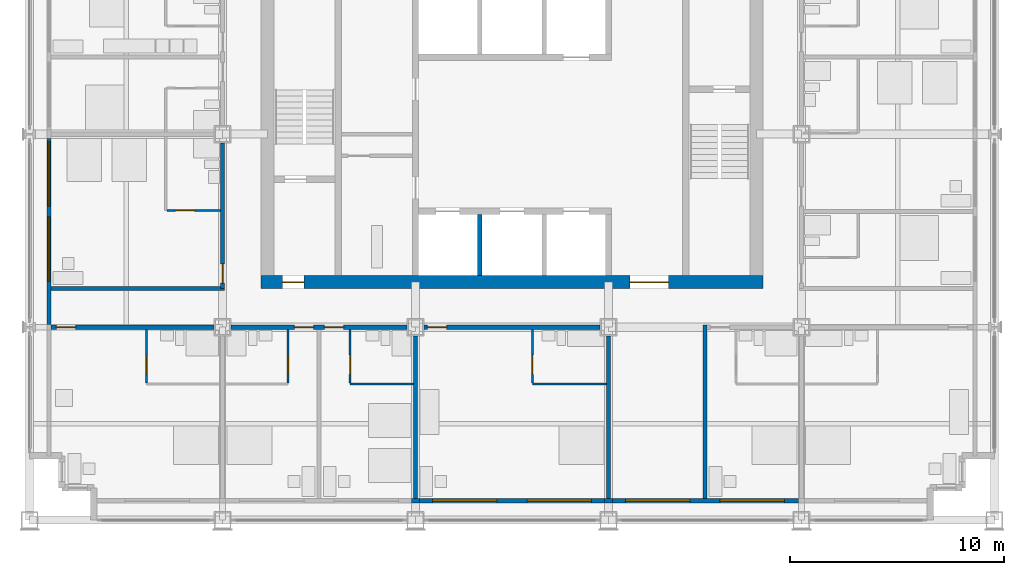
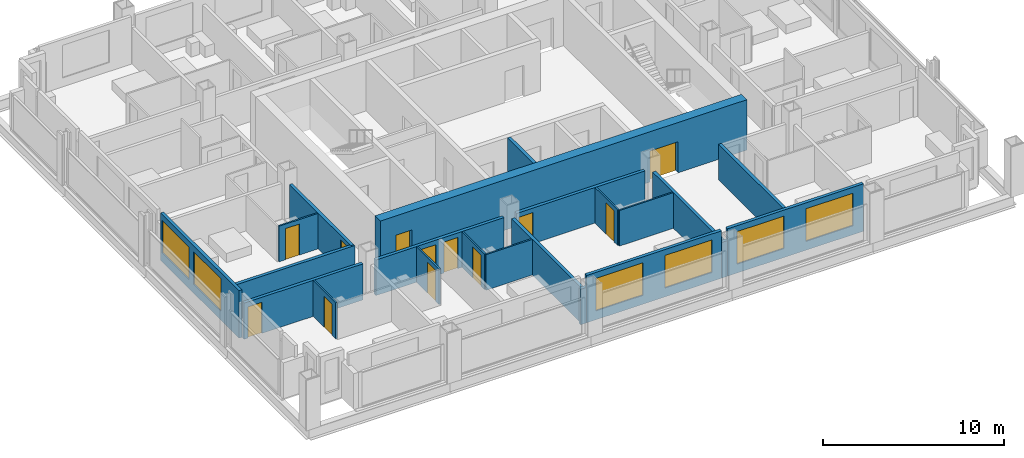
# One storey, part 9 of 17: 22 walls, 12 doors, 6 windows, 18 openings.
"""IFC4 building model written with IfcOpenShell, lengths in metres."""

from ifc_helpers import new_model, si_unit, direction, frame, frame_2d, origin, place, context, subcontext, project, spatial, rectangle, extrude, material, layer, layer_set, type_object, element, fill, save


model = new_model("IFC4")

# Units and contexts
model_context = context("Model", 3, precision=1e-05, world=origin(), true_north=direction((0.0, 1.0)))
body_context = subcontext(model_context, "Body", "Model", "MODEL_VIEW")
ifc_project = project(units=[si_unit("LENGTHUNIT", "METRE"), si_unit("AREAUNIT", "SQUARE_METRE"), si_unit("VOLUMEUNIT", "CUBIC_METRE"), si_unit("PLANEANGLEUNIT", "RADIAN"), si_unit("MASSUNIT", "GRAM", prefix="KILO")], contexts=[model_context])

# Site, building, storey
site_placement = place(None, origin())
site = spatial("IfcSite", under=ifc_project, at=site_placement, CompositionType="ELEMENT")
building_placement = place(site_placement, origin())
building = spatial("IfcBuilding", under=site, at=building_placement, Name="Loomwork Tower", CompositionType="ELEMENT")
storey_placement = place(building_placement, frame((0.0, 0.0, 141.800048828125)))
storey = spatial("IfcBuildingStorey", under=building, at=storey_placement, Name="L38", CompositionType="ELEMENT", Elevation=141.800048828125)

# Wall, openings, doors
ifc_material_1 = material(Name="Concrete 14000 psi (97 MPa)", Category="concrete")
ifc_layer_1 = layer(ifc_material_1, 0.60009765625)
ifc_layer_set_1 = layer_set([ifc_layer_1], Name="Core shear wall 600")
wall_type_1 = type_object("IfcWallType", Name="Core shear wall 600", PredefinedType="SHEAR", material=ifc_layer_set_1)
wall_1_placement = place(storey_placement, frame((10.800048828125, 11.10009765625, 0.0), z_axis=(0.0, 0.0, 1.0), x_axis=(1.0, 0.0, 0.0)))
wall_1 = element("IfcWall", 1, at=wall_1_placement, inside=storey, type_object=wall_type_1, Name="Core wall south L38", PredefinedType="SHEAR", context=body_context, shape_type="SweptSolid", body=[
    extrude(rectangle(XDim=23.39990234375, YDim=0.60009765625, at=frame_2d((11.699951171875, 0.0))), origin(), (0.0, 0.0, 1.0), 3.39990234375),
])
opening_1_placement = place(wall_1_placement, frame((1.0, 0.0, 0.0)))
opening_1 = element("IfcOpeningElement", 2, at=opening_1_placement, cuts=wall_1, Name="Opening D4", PredefinedType="OPENING", context=body_context, shape_type="SweptSolid", body=[
    extrude(rectangle(XDim=1.0, YDim=2.10009765625, at=frame_2d((0.5, 1.050048828125))), frame((0.0, 0.31005859375, 0.0), z_axis=(0.0, -1.0, 0.0), x_axis=(1.0, 0.0, 0.0)), (0.0, 0.0, 1.0), 0.6201171875),
])
opening_2_placement = place(wall_1_placement, frame((17.199951171875, 0.0, 0.0)))
opening_2 = element("IfcOpeningElement", 3, at=opening_2_placement, cuts=wall_1, Name="Opening D6", PredefinedType="OPENING", context=body_context, shape_type="SweptSolid", body=[
    extrude(rectangle(XDim=1.800048828125, YDim=2.10009765625, at=frame_2d((0.89990234375, 1.050048828125))), frame((0.0, 0.31005859375, 0.0), z_axis=(0.0, -1.0, 0.0), x_axis=(1.0, 0.0, 0.0)), (0.0, 0.0, 1.0), 0.6201171875),
])
ifc_material_2 = material(Name="Hollow metal door and frame")
door_type_1 = type_object("IfcDoorType", Name="Lobby passage double door 1800", OperationType="DOUBLE_DOOR_SINGLE_SWING", PredefinedType="DOOR", material=ifc_material_2)
door_1_placement = place(opening_2_placement, origin())
door_1 = element("IfcDoor", 4, at=door_1_placement, inside=storey, type_object=door_type_1, Name="Lobby passage door south", OperationType="DOUBLE_DOOR_SINGLE_SWING", OverallHeight=2.10009765625, OverallWidth=1.800048828125, PredefinedType="DOOR", context=body_context, shape_type="SweptSolid", body=[
    extrude(rectangle(XDim=1.800048828125, YDim=2.10009765625, at=frame_2d((0.89990234375, 1.050048828125))), frame((0.0, 0.02490234375, 0.0), z_axis=(0.0, -1.0, 0.0), x_axis=(1.0, 0.0, 0.0)), (0.0, 0.0, 1.0), 0.050048828125),
])
fill(opening_2, door_1)
ifc_material_3 = material(Name="Hollow metal door and frame")
door_type_2 = type_object("IfcDoorType", Name="Stair door 1000", OperationType="SINGLE_SWING_RIGHT", PredefinedType="DOOR", material=ifc_material_3)
door_2_placement = place(opening_1_placement, origin())
door_2 = element("IfcDoor", 5, at=door_2_placement, inside=storey, type_object=door_type_2, Name="Stair A vestibule door", OperationType="SINGLE_SWING_LEFT", OverallHeight=2.10009765625, OverallWidth=1.0, PredefinedType="DOOR", context=body_context, shape_type="SweptSolid", body=[
    extrude(rectangle(XDim=1.0, YDim=2.10009765625, at=frame_2d((0.5, 1.050048828125))), frame((0.0, 0.02490234375, 0.0), z_axis=(0.0, -1.0, 0.0), x_axis=(1.0, 0.0, 0.0)), (0.0, 0.0, 1.0), 0.050048828125),
])
fill(opening_1, door_2)

# Wall, opening, door
ifc_material_4 = material(Name="Gypsum board on steel studs, one-hour", Category="steel")
ifc_layer_2 = layer(ifc_material_4, 0.199951171875)
ifc_layer_set_2 = layer_set([ifc_layer_2], Name="Corridor wall 200")
wall_type_2 = type_object("IfcWallType", Name="Corridor wall 200", PredefinedType="PARTITIONING", material=ifc_layer_set_2)
wall_2_placement = place(storey_placement, frame((1.0, 9.0, 0.0), z_axis=(0.0, 0.0, 1.0), x_axis=(1.0, 0.0, 0.0)))
wall_2 = element("IfcWall", 6, at=wall_2_placement, inside=storey, type_object=wall_type_2, Name="South corridor wall 1", PredefinedType="PARTITIONING", context=body_context, shape_type="SweptSolid", body=[
    extrude(rectangle(XDim=7.60009765625, YDim=0.199951171875, at=frame_2d((3.800048828125, 0.0))), origin(), (0.0, 0.0, 1.0), 2.43798828125),
])
opening_3_placement = place(wall_2_placement, frame((0.25, 0.0, 0.0)))
opening_3 = element("IfcOpeningElement", 7, at=opening_3_placement, cuts=wall_2, Name="Opening D1", PredefinedType="OPENING", context=body_context, shape_type="SweptSolid", body=[
    extrude(rectangle(XDim=0.89990234375, YDim=2.10009765625, at=frame_2d((0.449951171875, 1.050048828125))), frame((0.0, 0.10986328125, 0.0), z_axis=(0.0, -1.0, 0.0), x_axis=(1.0, 0.0, 0.0)), (0.0, 0.0, 1.0), 0.219970703125),
])
ifc_material_5 = material(Name="Hollow metal door and frame")
door_type_3 = type_object("IfcDoorType", Name="Guest room entry door 900", OperationType="SINGLE_SWING_LEFT", PredefinedType="DOOR", material=ifc_material_5)
door_3_placement = place(opening_3_placement, frame((0.89990234375, 0.0, 0.0), z_axis=(0.0, 0.0, 1.0), x_axis=(-1.0, 0.0, 0.0)))
door_3 = element("IfcDoor", 8, at=door_3_placement, inside=storey, type_object=door_type_3, Name="Guest room entry door L38 1", OperationType="SINGLE_SWING_RIGHT", OverallHeight=2.10009765625, OverallWidth=0.89990234375, PredefinedType="DOOR", context=body_context, shape_type="SweptSolid", body=[
    extrude(rectangle(XDim=0.89990234375, YDim=2.10009765625, at=frame_2d((0.449951171875, 1.050048828125))), frame((0.0, 0.02490234375, 0.0), z_axis=(0.0, -1.0, 0.0), x_axis=(1.0, 0.0, 0.0)), (0.0, 0.0, 1.0), 0.050048828125),
])
fill(opening_3, door_3)

# Wall, openings, doors
wall_3_placement = place(storey_placement, frame((9.39990234375, 9.0, 0.0), z_axis=(0.0, 0.0, 1.0), x_axis=(1.0, 0.0, 0.0)))
wall_3 = element("IfcWall", 9, at=wall_3_placement, inside=storey, type_object=wall_type_2, Name="South corridor wall 2", PredefinedType="PARTITIONING", context=body_context, shape_type="SweptSolid", body=[
    extrude(rectangle(XDim=8.2001953125, YDim=0.199951171875, at=frame_2d((4.10009765625, 0.0))), origin(), (0.0, 0.0, 1.0), 2.405029296875),
])
opening_4_placement = place(wall_3_placement, frame((2.949951171875, 0.0, 0.0)))
opening_4 = element("IfcOpeningElement", 10, at=opening_4_placement, cuts=wall_3, Name="Opening D1", PredefinedType="OPENING", context=body_context, shape_type="SweptSolid", body=[
    extrude(rectangle(XDim=0.89990234375, YDim=2.10009765625, at=frame_2d((0.449951171875, 1.050048828125))), frame((0.0, 0.10986328125, 0.0), z_axis=(0.0, -1.0, 0.0), x_axis=(1.0, 0.0, 0.0)), (0.0, 0.0, 1.0), 0.219970703125),
])
opening_5_placement = place(wall_3_placement, frame((4.35009765625, 0.0, 0.0)))
opening_5 = element("IfcOpeningElement", 11, at=opening_5_placement, cuts=wall_3, Name="Opening D1", PredefinedType="OPENING", context=body_context, shape_type="SweptSolid", body=[
    extrude(rectangle(XDim=0.89990234375, YDim=2.10009765625, at=frame_2d((0.449951171875, 1.050048828125))), frame((0.0, 0.10986328125, 0.0), z_axis=(0.0, -1.0, 0.0), x_axis=(1.0, 0.0, 0.0)), (0.0, 0.0, 1.0), 0.219970703125),
])
door_4_placement = place(opening_4_placement, frame((0.89990234375, 0.0, 0.0), z_axis=(0.0, 0.0, 1.0), x_axis=(-1.0, 0.0, 0.0)))
door_4 = element("IfcDoor", 12, at=door_4_placement, inside=storey, type_object=door_type_3, Name="Guest room entry door L38 2", OperationType="SINGLE_SWING_LEFT", OverallHeight=2.10009765625, OverallWidth=0.89990234375, PredefinedType="DOOR", context=body_context, shape_type="SweptSolid", body=[
    extrude(rectangle(XDim=0.89990234375, YDim=2.10009765625, at=frame_2d((0.449951171875, 1.050048828125))), frame((0.0, 0.02490234375, 0.0), z_axis=(0.0, -1.0, 0.0), x_axis=(1.0, 0.0, 0.0)), (0.0, 0.0, 1.0), 0.050048828125),
])
fill(opening_4, door_4)
door_5_placement = place(opening_5_placement, frame((0.89990234375, 0.0, 0.0), z_axis=(0.0, 0.0, 1.0), x_axis=(-1.0, 0.0, 0.0)))
door_5 = element("IfcDoor", 13, at=door_5_placement, inside=storey, type_object=door_type_3, Name="Guest room entry door L38 3", OperationType="SINGLE_SWING_RIGHT", OverallHeight=2.10009765625, OverallWidth=0.89990234375, PredefinedType="DOOR", context=body_context, shape_type="SweptSolid", body=[
    extrude(rectangle(XDim=0.89990234375, YDim=2.10009765625, at=frame_2d((0.449951171875, 1.050048828125))), frame((0.0, 0.02490234375, 0.0), z_axis=(0.0, -1.0, 0.0), x_axis=(1.0, 0.0, 0.0)), (0.0, 0.0, 1.0), 0.050048828125),
])
fill(opening_5, door_5)

# Wall, opening, door
wall_4_placement = place(storey_placement, frame((18.39990234375, 9.0, 0.0), z_axis=(0.0, 0.0, 1.0), x_axis=(1.0, 0.0, 0.0)))
wall_4 = element("IfcWall", 14, at=wall_4_placement, inside=storey, type_object=wall_type_2, Name="South corridor wall 3", PredefinedType="PARTITIONING", context=body_context, shape_type="SweptSolid", body=[
    extrude(rectangle(XDim=8.2001953125, YDim=0.199951171875, at=frame_2d((4.10009765625, 0.0))), origin(), (0.0, 0.0, 1.0), 2.405029296875),
])
opening_6_placement = place(wall_4_placement, frame((0.14990234375, 0.0, 0.0)))
opening_6 = element("IfcOpeningElement", 15, at=opening_6_placement, cuts=wall_4, Name="Opening D1", PredefinedType="OPENING", context=body_context, shape_type="SweptSolid", body=[
    extrude(rectangle(XDim=0.89990234375, YDim=2.10009765625, at=frame_2d((0.449951171875, 1.050048828125))), frame((0.0, 0.10986328125, 0.0), z_axis=(0.0, -1.0, 0.0), x_axis=(1.0, 0.0, 0.0)), (0.0, 0.0, 1.0), 0.219970703125),
])
door_6_placement = place(opening_6_placement, frame((0.89990234375, 0.0, 0.0), z_axis=(0.0, 0.0, 1.0), x_axis=(-1.0, 0.0, 0.0)))
door_6 = element("IfcDoor", 16, at=door_6_placement, inside=storey, type_object=door_type_3, Name="Guest room entry door L38 4", OperationType="SINGLE_SWING_RIGHT", OverallHeight=2.10009765625, OverallWidth=0.89990234375, PredefinedType="DOOR", context=body_context, shape_type="SweptSolid", body=[
    extrude(rectangle(XDim=0.89990234375, YDim=2.10009765625, at=frame_2d((0.449951171875, 1.050048828125))), frame((0.0, 0.02490234375, 0.0), z_axis=(0.0, -1.0, 0.0), x_axis=(1.0, 0.0, 0.0)), (0.0, 0.0, 1.0), 0.050048828125),
])
fill(opening_6, door_6)

wall_5_placement = place(storey_placement, frame((9.0, 10.800048828125, 0.0), z_axis=(0.0, 0.0, 1.0), x_axis=(0.0, 1.0, 0.0)))
wall_5 = element("IfcWall", 17, at=wall_5_placement, inside=storey, type_object=wall_type_2, Name="West corridor wall 1", PredefinedType="PARTITIONING", context=body_context, shape_type="SweptSolid", body=[
    extrude(rectangle(XDim=6.800048828125, YDim=0.199951171875, at=frame_2d((3.39990234375, 0.0))), origin(), (0.0, 0.0, 1.0), 2.405029296875),
])
opening_7_placement = place(wall_5_placement, frame((0.25, 0.0, 0.0)))
opening_7 = element("IfcOpeningElement", 18, at=opening_7_placement, cuts=wall_5, Name="Opening D1", PredefinedType="OPENING", context=body_context, shape_type="SweptSolid", body=[
    extrude(rectangle(XDim=0.89990234375, YDim=2.10009765625, at=frame_2d((0.449951171875, 1.050048828125))), frame((0.0, 0.10986328125, 0.0), z_axis=(0.0, -1.0, 0.0), x_axis=(1.0, 0.0, 0.0)), (0.0, 0.0, 1.0), 0.219970703125),
])
door_7_placement = place(opening_7_placement, origin())
door_7 = element("IfcDoor", 19, at=door_7_placement, inside=storey, type_object=door_type_3, Name="Guest room entry door L38 14", OperationType="SINGLE_SWING_LEFT", OverallHeight=2.10009765625, OverallWidth=0.89990234375, PredefinedType="DOOR", context=body_context, shape_type="SweptSolid", body=[
    extrude(rectangle(XDim=0.89990234375, YDim=2.10009765625, at=frame_2d((0.449951171875, 1.050048828125))), frame((0.0, 0.02490234375, 0.0), z_axis=(0.0, -1.0, 0.0), x_axis=(1.0, 0.0, 0.0)), (0.0, 0.0, 1.0), 0.050048828125),
])
fill(opening_7, door_7)

# Wall
wall_6_placement = place(storey_placement, frame((1.0, 10.800048828125, 0.0), z_axis=(0.0, 0.0, 1.0), x_axis=(1.0, 0.0, 0.0)))
element("IfcWall", 20, at=wall_6_placement, inside=storey, type_object=wall_type_2, Name="West band end wall S", PredefinedType="PARTITIONING", context=body_context, shape_type="SweptSolid", body=[
    extrude(rectangle(XDim=8.10009765625, YDim=0.199951171875, at=frame_2d((4.050048828125, 0.0))), origin(), (0.0, 0.0, 1.0), 2.404052734375),
])

# Wall, opening, door
ifc_material_6 = material(Name="Cement board on steel studs", Category="steel")
ifc_layer_3 = layer(ifc_material_6, 0.10009765625)
ifc_layer_set_3 = layer_set([ifc_layer_3], Name="En-suite partition 100")
wall_type_3 = type_object("IfcWallType", Name="En-suite partition 100", PredefinedType="PARTITIONING", material=ifc_layer_set_3)
wall_7_placement = place(storey_placement, frame((5.449951171875, 8.89990234375, 0.0), z_axis=(0.0, 0.0, 1.0), x_axis=(0.0, -1.0, 0.0)))
wall_7 = element("IfcWall", 21, at=wall_7_placement, inside=storey, type_object=wall_type_3, Name="En-suite side wall L38 room 1", PredefinedType="PARTITIONING", context=body_context, shape_type="SweptSolid", body=[
    extrude(rectangle(XDim=2.5, YDim=0.10009765625, at=frame_2d((1.25, 0.0))), origin(), (0.0, 0.0, 1.0), 2.43798828125),
])
opening_8_placement = place(wall_7_placement, frame((1.199951171875, 0.0, 0.0)))
opening_8 = element("IfcOpeningElement", 22, at=opening_8_placement, cuts=wall_7, Name="Opening D3", PredefinedType="OPENING", context=body_context, shape_type="SweptSolid", body=[
    extrude(rectangle(XDim=0.89990234375, YDim=2.10009765625, at=frame_2d((0.449951171875, 1.050048828125))), frame((0.0, 0.06005859375, 0.0), z_axis=(0.0, -1.0, 0.0), x_axis=(1.0, 0.0, 0.0)), (0.0, 0.0, 1.0), 0.1201171875),
])
ifc_material_7 = material(Name="Hollow metal door and frame")
door_type_4 = type_object("IfcDoorType", Name="Accessible en-suite door 900", OperationType="SLIDING_TO_LEFT", PredefinedType="DOOR", material=ifc_material_7)
door_8_placement = place(opening_8_placement, origin())
door_8 = element("IfcDoor", 23, at=door_8_placement, inside=storey, type_object=door_type_4, Name="Accessible en-suite door room 1", OperationType="SLIDING_TO_LEFT", OverallHeight=2.10009765625, OverallWidth=0.89990234375, PredefinedType="DOOR", context=body_context, shape_type="SweptSolid", body=[
    extrude(rectangle(XDim=0.89990234375, YDim=2.10009765625, at=frame_2d((0.449951171875, 1.050048828125))), frame((0.0, 0.02490234375, 0.0), z_axis=(0.0, -1.0, 0.0), x_axis=(1.0, 0.0, 0.0)), (0.0, 0.0, 1.0), 0.050048828125),
])
fill(opening_8, door_8)

wall_8_placement = place(storey_placement, frame((12.050048828125, 8.89990234375, 0.0), z_axis=(0.0, 0.0, 1.0), x_axis=(0.0, -1.0, 0.0)))
wall_8 = element("IfcWall", 24, at=wall_8_placement, inside=storey, type_object=wall_type_3, Name="En-suite side wall L38 room 2", PredefinedType="PARTITIONING", context=body_context, shape_type="SweptSolid", body=[
    extrude(rectangle(XDim=2.5, YDim=0.10009765625, at=frame_2d((1.25, 0.0))), origin(), (0.0, 0.0, 1.0), 2.404052734375),
])
opening_9_placement = place(wall_8_placement, frame((1.199951171875, 0.0, 0.0)))
opening_9 = element("IfcOpeningElement", 25, at=opening_9_placement, cuts=wall_8, Name="Opening D2", PredefinedType="OPENING", context=body_context, shape_type="SweptSolid", body=[
    extrude(rectangle(XDim=0.89990234375, YDim=2.10009765625, at=frame_2d((0.449951171875, 1.050048828125))), frame((0.0, 0.06005859375, 0.0), z_axis=(0.0, -1.0, 0.0), x_axis=(1.0, 0.0, 0.0)), (0.0, 0.0, 1.0), 0.1201171875),
])
ifc_material_8 = material(Name="Hollow metal door and frame")
door_type_5 = type_object("IfcDoorType", Name="En-suite door 900", OperationType="SINGLE_SWING_LEFT", PredefinedType="DOOR", material=ifc_material_8)
door_9_placement = place(opening_9_placement, frame((0.89990234375, 0.0, 0.0), z_axis=(0.0, 0.0, 1.0), x_axis=(-1.0, 0.0, 0.0)))
door_9 = element("IfcDoor", 26, at=door_9_placement, inside=storey, type_object=door_type_5, Name="En-suite door room 2", OperationType="SINGLE_SWING_LEFT", OverallHeight=2.10009765625, OverallWidth=0.89990234375, PredefinedType="DOOR", context=body_context, shape_type="SweptSolid", body=[
    extrude(rectangle(XDim=0.89990234375, YDim=2.10009765625, at=frame_2d((0.449951171875, 1.050048828125))), frame((0.0, 0.02490234375, 0.0), z_axis=(0.0, -1.0, 0.0), x_axis=(1.0, 0.0, 0.0)), (0.0, 0.0, 1.0), 0.050048828125),
])
fill(opening_9, door_9)

# Wall
wall_9_placement = place(storey_placement, frame((14.949951171875, 6.35009765625, 0.0), z_axis=(0.0, 0.0, 1.0), x_axis=(1.0, 0.0, 0.0)))
element("IfcWall", 27, at=wall_9_placement, inside=storey, type_object=wall_type_3, Name="En-suite wall L38 room 3", PredefinedType="PARTITIONING", context=body_context, shape_type="SweptSolid", body=[
    extrude(rectangle(XDim=2.949951171875, YDim=0.10009765625, at=frame_2d((1.47509765625, 0.0))), origin(), (0.0, 0.0, 1.0), 2.404052734375),
])

# Wall, opening, door
wall_10_placement = place(storey_placement, frame((14.949951171875, 8.89990234375, 0.0), z_axis=(0.0, 0.0, 1.0), x_axis=(0.0, -1.0, 0.0)))
wall_10 = element("IfcWall", 28, at=wall_10_placement, inside=storey, type_object=wall_type_3, Name="En-suite side wall L38 room 3", PredefinedType="PARTITIONING", context=body_context, shape_type="SweptSolid", body=[
    extrude(rectangle(XDim=2.5, YDim=0.10009765625, at=frame_2d((1.25, 0.0))), origin(), (0.0, 0.0, 1.0), 2.404052734375),
])
opening_10_placement = place(wall_10_placement, frame((1.199951171875, 0.0, 0.0)))
opening_10 = element("IfcOpeningElement", 29, at=opening_10_placement, cuts=wall_10, Name="Opening D2", PredefinedType="OPENING", context=body_context, shape_type="SweptSolid", body=[
    extrude(rectangle(XDim=0.89990234375, YDim=2.10009765625, at=frame_2d((0.449951171875, 1.050048828125))), frame((0.0, 0.06005859375, 0.0), z_axis=(0.0, -1.0, 0.0), x_axis=(1.0, 0.0, 0.0)), (0.0, 0.0, 1.0), 0.1201171875),
])
door_10_placement = place(opening_10_placement, origin())
door_10 = element("IfcDoor", 30, at=door_10_placement, inside=storey, type_object=door_type_5, Name="En-suite door room 3", OperationType="SINGLE_SWING_RIGHT", OverallHeight=2.10009765625, OverallWidth=0.89990234375, PredefinedType="DOOR", context=body_context, shape_type="SweptSolid", body=[
    extrude(rectangle(XDim=0.89990234375, YDim=2.10009765625, at=frame_2d((0.449951171875, 1.050048828125))), frame((0.0, 0.02490234375, 0.0), z_axis=(0.0, -1.0, 0.0), x_axis=(1.0, 0.0, 0.0)), (0.0, 0.0, 1.0), 0.050048828125),
])
fill(opening_10, door_10)

# Wall
wall_11_placement = place(storey_placement, frame((23.449951171875, 6.35009765625, 0.0), z_axis=(0.0, 0.0, 1.0), x_axis=(1.0, 0.0, 0.0)))
element("IfcWall", 31, at=wall_11_placement, inside=storey, type_object=wall_type_3, Name="En-suite wall L38 room 4", PredefinedType="PARTITIONING", context=body_context, shape_type="SweptSolid", body=[
    extrude(rectangle(XDim=3.449951171875, YDim=0.10009765625, at=frame_2d((1.72509765625, 0.0))), origin(), (0.0, 0.0, 1.0), 2.404052734375),
])

# Wall, opening, door
wall_12_placement = place(storey_placement, frame((23.449951171875, 8.89990234375, 0.0), z_axis=(0.0, 0.0, 1.0), x_axis=(0.0, -1.0, 0.0)))
wall_12 = element("IfcWall", 32, at=wall_12_placement, inside=storey, type_object=wall_type_3, Name="En-suite side wall L38 room 4", PredefinedType="PARTITIONING", context=body_context, shape_type="SweptSolid", body=[
    extrude(rectangle(XDim=2.5, YDim=0.10009765625, at=frame_2d((1.25, 0.0))), origin(), (0.0, 0.0, 1.0), 2.404052734375),
])
opening_11_placement = place(wall_12_placement, frame((1.199951171875, 0.0, 0.0)))
opening_11 = element("IfcOpeningElement", 33, at=opening_11_placement, cuts=wall_12, Name="Opening D2", PredefinedType="OPENING", context=body_context, shape_type="SweptSolid", body=[
    extrude(rectangle(XDim=0.89990234375, YDim=2.10009765625, at=frame_2d((0.449951171875, 1.050048828125))), frame((0.0, 0.06005859375, 0.0), z_axis=(0.0, -1.0, 0.0), x_axis=(1.0, 0.0, 0.0)), (0.0, 0.0, 1.0), 0.1201171875),
])
door_11_placement = place(opening_11_placement, origin())
door_11 = element("IfcDoor", 34, at=door_11_placement, inside=storey, type_object=door_type_5, Name="En-suite door room 4", OperationType="SINGLE_SWING_RIGHT", OverallHeight=2.10009765625, OverallWidth=0.89990234375, PredefinedType="DOOR", context=body_context, shape_type="SweptSolid", body=[
    extrude(rectangle(XDim=0.89990234375, YDim=2.10009765625, at=frame_2d((0.449951171875, 1.050048828125))), frame((0.0, 0.02490234375, 0.0), z_axis=(0.0, -1.0, 0.0), x_axis=(1.0, 0.0, 0.0)), (0.0, 0.0, 1.0), 0.050048828125),
])
fill(opening_11, door_11)

wall_13_placement = place(storey_placement, frame((8.89990234375, 14.449951171875, 0.0), z_axis=(0.0, 0.0, 1.0), x_axis=(-1.0, 0.0, 0.0)))
wall_13 = element("IfcWall", 35, at=wall_13_placement, inside=storey, type_object=wall_type_3, Name="En-suite side wall L38 room 14", PredefinedType="PARTITIONING", context=body_context, shape_type="SweptSolid", body=[
    extrude(rectangle(XDim=2.5, YDim=0.10009765625, at=frame_2d((1.25, 0.0))), origin(), (0.0, 0.0, 1.0), 2.404052734375),
])
opening_12_placement = place(wall_13_placement, frame((1.199951171875, 0.0, 0.0)))
opening_12 = element("IfcOpeningElement", 36, at=opening_12_placement, cuts=wall_13, Name="Opening D2", PredefinedType="OPENING", context=body_context, shape_type="SweptSolid", body=[
    extrude(rectangle(XDim=0.89990234375, YDim=2.10009765625, at=frame_2d((0.449951171875, 1.050048828125))), frame((0.0, 0.06005859375, 0.0), z_axis=(0.0, -1.0, 0.0), x_axis=(1.0, 0.0, 0.0)), (0.0, 0.0, 1.0), 0.1201171875),
])
door_12_placement = place(opening_12_placement, frame((0.89990234375, 0.0, 0.0), z_axis=(0.0, 0.0, 1.0), x_axis=(-1.0, 0.0, 0.0)))
door_12 = element("IfcDoor", 37, at=door_12_placement, inside=storey, type_object=door_type_5, Name="En-suite door room 14", OperationType="SINGLE_SWING_LEFT", OverallHeight=2.10009765625, OverallWidth=0.89990234375, PredefinedType="DOOR", context=body_context, shape_type="SweptSolid", body=[
    extrude(rectangle(XDim=0.89990234375, YDim=2.10009765625, at=frame_2d((0.449951171875, 1.050048828125))), frame((0.0, 0.02490234375, 0.0), z_axis=(0.0, -1.0, 0.0), x_axis=(1.0, 0.0, 0.0)), (0.0, 0.0, 1.0), 0.050048828125),
])
fill(opening_12, door_12)

# Walls
ifc_material_9 = material(Name="Gypsum board on steel studs, acoustic", Category="steel")
ifc_layer_4 = layer(ifc_material_9, 0.199951171875)
ifc_layer_set_4 = layer_set([ifc_layer_4], Name="Guest room party wall 200")
wall_type_4 = type_object("IfcWallType", Name="Guest room party wall 200", PredefinedType="PARTITIONING", material=ifc_layer_set_4)
for number, where, z_axis, x_axis, name in (
    (38, (18.0, 8.60009765625, 0.0), (0.0, 0.0, 1.0), (0.0, -1.0, 0.0), "Guest room party wall S 18"),
    (39, (27.0, 8.60009765625, 0.0), (0.0, 0.0, 1.0), (0.0, -1.0, 0.0), "Guest room party wall S 27"),
):
    element("IfcWall", number, at=place(storey_placement, frame(where, z_axis=z_axis, x_axis=x_axis)), inside=storey, type_object=wall_type_4, Name=name, PredefinedType="PARTITIONING", context=body_context, shape_type="SweptSolid", body=[
        extrude(rectangle(XDim=7.60009765625, YDim=0.199951171875, at=frame_2d((3.800048828125, 0.0))), origin(), (0.0, 0.0, 1.0), 2.405029296875),
    ])
wall_14_placement = place(storey_placement, frame((31.5, 9.10009765625, 0.0), z_axis=(0.0, 0.0, 1.0), x_axis=(0.0, -1.0, 0.0)))
element("IfcWall", 40, at=wall_14_placement, inside=storey, type_object=wall_type_4, Name="Guest room party wall S 31.5", PredefinedType="PARTITIONING", context=body_context, shape_type="SweptSolid", body=[
    extrude(rectangle(XDim=8.10009765625, YDim=0.199951171875, at=frame_2d((4.050048828125, 0.0))), origin(), (0.0, 0.0, 1.0), 2.404052734375),
])
ifc_material_10 = material(Name="Insulated steel stud wall with gypsum lining", Category="steel")
ifc_layer_5 = layer(ifc_material_10, 0.199951171875)
ifc_layer_set_5 = layer_set([ifc_layer_5], Name="Inner skin wall 200")
wall_type_5 = type_object("IfcWallType", Name="Inner skin wall 200", PredefinedType="SOLIDWALL", material=ifc_layer_set_5)
wall_15_placement = place(storey_placement, frame((17.80615234375, 0.89990234375, 0.0), z_axis=(0.0, 0.0, 1.0), x_axis=(1.0, 0.0, 0.0)))
element("IfcWall", 41, at=wall_15_placement, inside=storey, type_object=wall_type_5, Name="Inner skin wall S bay 4", PredefinedType="SOLIDWALL", context=body_context, shape_type="SweptSolid", body=[
    extrude(rectangle(XDim=0.3876953125, YDim=0.199951171875, at=frame_2d((0.19384765625, 0.0))), origin(), (0.0, 0.0, 1.0), 2.404052734375),
])

# Wall, openings, windows
wall_16_placement = place(storey_placement, frame((18.19384765625, 0.89990234375, 0.0), z_axis=(0.0, 0.0, 1.0), x_axis=(1.0, 0.0, 0.0)))
wall_16 = element("IfcWall", 42, at=wall_16_placement, inside=storey, type_object=wall_type_5, Name="Inner skin wall S bay 5", PredefinedType="SOLIDWALL", context=body_context, shape_type="SweptSolid", body=[
    extrude(rectangle(XDim=8.6123046875, YDim=0.199951171875, at=frame_2d((4.30615234375, 0.0))), origin(), (0.0, 0.0, 1.0), 3.199951171875),
])
opening_13_placement = place(wall_16_placement, frame((0.606201171875, 0.0, 0.60009765625)))
opening_13 = element("IfcOpeningElement", 43, at=opening_13_placement, cuts=wall_16, Name="Opening CH1", PredefinedType="OPENING", context=body_context, shape_type="SweptSolid", body=[
    extrude(rectangle(XDim=3.0, YDim=2.199951171875, at=frame_2d((1.5, 1.10009765625))), frame((0.0, 0.10986328125, 0.0), z_axis=(0.0, -1.0, 0.0), x_axis=(1.0, 0.0, 0.0)), (0.0, 0.0, 1.0), 0.219970703125),
])
opening_14_placement = place(wall_16_placement, frame((5.006103515625, 0.0, 0.60009765625)))
opening_14 = element("IfcOpeningElement", 44, at=opening_14_placement, cuts=wall_16, Name="Opening CH1", PredefinedType="OPENING", context=body_context, shape_type="SweptSolid", body=[
    extrude(rectangle(XDim=3.0, YDim=2.199951171875, at=frame_2d((1.5, 1.10009765625))), frame((0.0, 0.10986328125, 0.0), z_axis=(0.0, -1.0, 0.0), x_axis=(1.0, 0.0, 0.0)), (0.0, 0.0, 1.0), 0.219970703125),
])
ifc_material_11 = material(Name="Aluminium frame with clear insulated glass", Category="aluminium")
window_type = type_object("IfcWindowType", Name="Chicago window 3000", PartitioningType="TRIPLE_PANEL_VERTICAL", PredefinedType="WINDOW", material=ifc_material_11)
window_1_placement = place(opening_13_placement, origin())
window_1 = element("IfcWindow", 45, at=window_1_placement, inside=storey, type_object=window_type, Name="Chicago window L38 bay 3", OverallHeight=2.199951171875, OverallWidth=3.0, PartitioningType="TRIPLE_PANEL_VERTICAL", PredefinedType="WINDOW", context=body_context, shape_type="SweptSolid", body=[
    extrude(rectangle(XDim=3.0, YDim=2.199951171875, at=frame_2d((1.5, 1.10009765625))), frame((0.0, 0.030029296875, 0.0), z_axis=(0.0, -1.0, 0.0), x_axis=(1.0, 0.0, 0.0)), (0.0, 0.0, 1.0), 0.06005859375),
])
fill(opening_13, window_1)
window_2_placement = place(opening_14_placement, origin())
window_2 = element("IfcWindow", 46, at=window_2_placement, inside=storey, type_object=window_type, Name="Chicago window L38 bay 3", OverallHeight=2.199951171875, OverallWidth=3.0, PartitioningType="TRIPLE_PANEL_VERTICAL", PredefinedType="WINDOW", context=body_context, shape_type="SweptSolid", body=[
    extrude(rectangle(XDim=3.0, YDim=2.199951171875, at=frame_2d((1.5, 1.10009765625))), frame((0.0, 0.030029296875, 0.0), z_axis=(0.0, -1.0, 0.0), x_axis=(1.0, 0.0, 0.0)), (0.0, 0.0, 1.0), 0.06005859375),
])
fill(opening_14, window_2)

# Wall
wall_17_placement = place(storey_placement, frame((26.80615234375, 0.89990234375, 0.0), z_axis=(0.0, 0.0, 1.0), x_axis=(1.0, 0.0, 0.0)))
element("IfcWall", 47, at=wall_17_placement, inside=storey, type_object=wall_type_5, Name="Inner skin wall S bay 6", PredefinedType="SOLIDWALL", context=body_context, shape_type="SweptSolid", body=[
    extrude(rectangle(XDim=0.3876953125, YDim=0.199951171875, at=frame_2d((0.19384765625, 0.0))), origin(), (0.0, 0.0, 1.0), 2.404052734375),
])

# Wall, openings, windows
wall_18_placement = place(storey_placement, frame((27.19384765625, 0.89990234375, 0.0), z_axis=(0.0, 0.0, 1.0), x_axis=(1.0, 0.0, 0.0)))
wall_18 = element("IfcWall", 48, at=wall_18_placement, inside=storey, type_object=wall_type_5, Name="Inner skin wall S bay 7", PredefinedType="SOLIDWALL", context=body_context, shape_type="SweptSolid", body=[
    extrude(rectangle(XDim=8.670654296875, YDim=0.199951171875, at=frame_2d((4.33544921875, 0.0))), origin(), (0.0, 0.0, 1.0), 3.199951171875),
])
opening_15_placement = place(wall_18_placement, frame((0.606201171875, 0.0, 0.60009765625)))
opening_15 = element("IfcOpeningElement", 49, at=opening_15_placement, cuts=wall_18, Name="Opening CH1", PredefinedType="OPENING", context=body_context, shape_type="SweptSolid", body=[
    extrude(rectangle(XDim=3.0, YDim=2.199951171875, at=frame_2d((1.5, 1.10009765625))), frame((0.0, 0.10986328125, 0.0), z_axis=(0.0, -1.0, 0.0), x_axis=(1.0, 0.0, 0.0)), (0.0, 0.0, 1.0), 0.219970703125),
])
opening_16_placement = place(wall_18_placement, frame((5.006103515625, 0.0, 0.60009765625)))
opening_16 = element("IfcOpeningElement", 50, at=opening_16_placement, cuts=wall_18, Name="Opening CH1", PredefinedType="OPENING", context=body_context, shape_type="SweptSolid", body=[
    extrude(rectangle(XDim=3.0, YDim=2.199951171875, at=frame_2d((1.5, 1.10009765625))), frame((0.0, 0.10986328125, 0.0), z_axis=(0.0, -1.0, 0.0), x_axis=(1.0, 0.0, 0.0)), (0.0, 0.0, 1.0), 0.219970703125),
])
window_3_placement = place(opening_15_placement, origin())
window_3 = element("IfcWindow", 51, at=window_3_placement, inside=storey, type_object=window_type, Name="Chicago window L38 bay 4", OverallHeight=2.199951171875, OverallWidth=3.0, PartitioningType="TRIPLE_PANEL_VERTICAL", PredefinedType="WINDOW", context=body_context, shape_type="SweptSolid", body=[
    extrude(rectangle(XDim=3.0, YDim=2.199951171875, at=frame_2d((1.5, 1.10009765625))), frame((0.0, 0.030029296875, 0.0), z_axis=(0.0, -1.0, 0.0), x_axis=(1.0, 0.0, 0.0)), (0.0, 0.0, 1.0), 0.06005859375),
])
fill(opening_15, window_3)
window_4_placement = place(opening_16_placement, origin())
window_4 = element("IfcWindow", 52, at=window_4_placement, inside=storey, type_object=window_type, Name="Chicago window L38 bay 4", OverallHeight=2.199951171875, OverallWidth=3.0, PartitioningType="TRIPLE_PANEL_VERTICAL", PredefinedType="WINDOW", context=body_context, shape_type="SweptSolid", body=[
    extrude(rectangle(XDim=3.0, YDim=2.199951171875, at=frame_2d((1.5, 1.10009765625))), frame((0.0, 0.030029296875, 0.0), z_axis=(0.0, -1.0, 0.0), x_axis=(1.0, 0.0, 0.0)), (0.0, 0.0, 1.0), 0.06005859375),
])
fill(opening_16, window_4)

wall_19_placement = place(storey_placement, frame((0.89990234375, 9.13525390625, 0.0), z_axis=(0.0, 0.0, 1.0), x_axis=(0.0, 1.0, 0.0)))
wall_19 = element("IfcWall", 53, at=wall_19_placement, inside=storey, type_object=wall_type_5, Name="Inner skin wall W bay 5", PredefinedType="SOLIDWALL", context=body_context, shape_type="SweptSolid", body=[
    extrude(rectangle(XDim=8.6708984375, YDim=0.199951171875, at=frame_2d((4.33544921875, 0.0))), origin(), (0.0, 0.0, 1.0), 3.199951171875),
])
opening_17_placement = place(wall_19_placement, frame((2.0146484375, 0.0, 0.60009765625)))
opening_17 = element("IfcOpeningElement", 54, at=opening_17_placement, cuts=wall_19, Name="Opening CH1", PredefinedType="OPENING", context=body_context, shape_type="SweptSolid", body=[
    extrude(rectangle(XDim=3.0, YDim=2.199951171875, at=frame_2d((1.5, 1.10009765625))), frame((0.0, 0.10986328125, 0.0), z_axis=(0.0, -1.0, 0.0), x_axis=(1.0, 0.0, 0.0)), (0.0, 0.0, 1.0), 0.219970703125),
])
opening_18_placement = place(wall_19_placement, frame((5.5146484375, 0.0, 0.60009765625)))
opening_18 = element("IfcOpeningElement", 55, at=opening_18_placement, cuts=wall_19, Name="Opening CH1", PredefinedType="OPENING", context=body_context, shape_type="SweptSolid", body=[
    extrude(rectangle(XDim=3.0, YDim=2.199951171875, at=frame_2d((1.5, 1.10009765625))), frame((0.0, 0.10986328125, 0.0), z_axis=(0.0, -1.0, 0.0), x_axis=(1.0, 0.0, 0.0)), (0.0, 0.0, 1.0), 0.219970703125),
])
window_5_placement = place(opening_17_placement, origin())
window_5 = element("IfcWindow", 56, at=window_5_placement, inside=storey, type_object=window_type, Name="Chicago window L38 bay 11", OverallHeight=2.199951171875, OverallWidth=3.0, PartitioningType="TRIPLE_PANEL_VERTICAL", PredefinedType="WINDOW", context=body_context, shape_type="SweptSolid", body=[
    extrude(rectangle(XDim=3.0, YDim=2.199951171875, at=frame_2d((1.5, 1.10009765625))), frame((0.0, 0.030029296875, 0.0), z_axis=(0.0, -1.0, 0.0), x_axis=(1.0, 0.0, 0.0)), (0.0, 0.0, 1.0), 0.06005859375),
])
fill(opening_17, window_5)
window_6_placement = place(opening_18_placement, origin())
window_6 = element("IfcWindow", 57, at=window_6_placement, inside=storey, type_object=window_type, Name="Chicago window L38 bay 11", OverallHeight=2.199951171875, OverallWidth=3.0, PartitioningType="TRIPLE_PANEL_VERTICAL", PredefinedType="WINDOW", context=body_context, shape_type="SweptSolid", body=[
    extrude(rectangle(XDim=3.0, YDim=2.199951171875, at=frame_2d((1.5, 1.10009765625))), frame((0.0, 0.030029296875, 0.0), z_axis=(0.0, -1.0, 0.0), x_axis=(1.0, 0.0, 0.0)), (0.0, 0.0, 1.0), 0.06005859375),
])
fill(opening_18, window_6)

# Wall
ifc_material_12 = material(Name="Concrete 14000 psi (97 MPa)", Category="concrete")
ifc_layer_6 = layer(ifc_material_12, 0.199951171875)
ifc_layer_set_6 = layer_set([ifc_layer_6], Name="Lift shaft wall 200")
wall_type_6 = type_object("IfcWallType", Name="Lift shaft wall 200", PredefinedType="SHEAR", material=ifc_layer_set_6)
wall_20_placement = place(storey_placement, frame((21.0, 11.39990234375, 0.0), z_axis=(0.0, 0.0, 1.0), x_axis=(0.0, 1.0, 0.0)))
element("IfcWall", 58, at=wall_20_placement, inside=storey, type_object=wall_type_6, Name="Lift shaft separation wall south 1 L38", PredefinedType="SHEAR", context=body_context, shape_type="SweptSolid", body=[
    extrude(rectangle(XDim=2.85009765625, YDim=0.199951171875, at=frame_2d((1.425048828125, 0.0))), origin(), (0.0, 0.0, 1.0), 3.39990234375),
])

save(model, "model.ifc")
